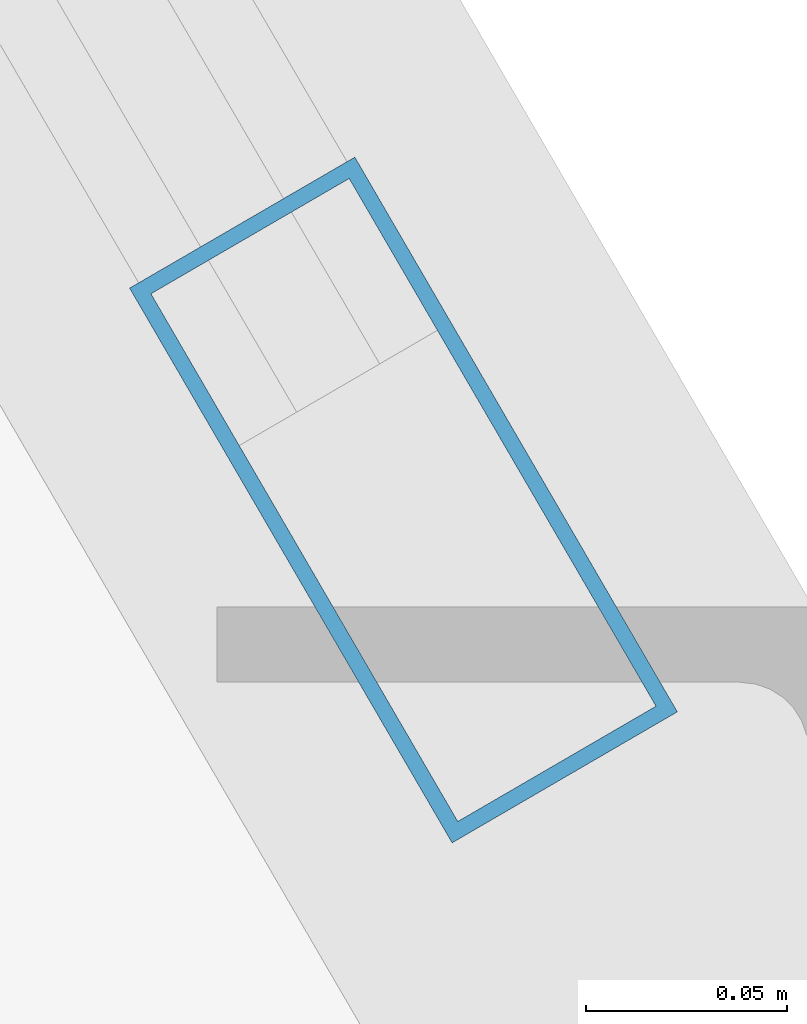
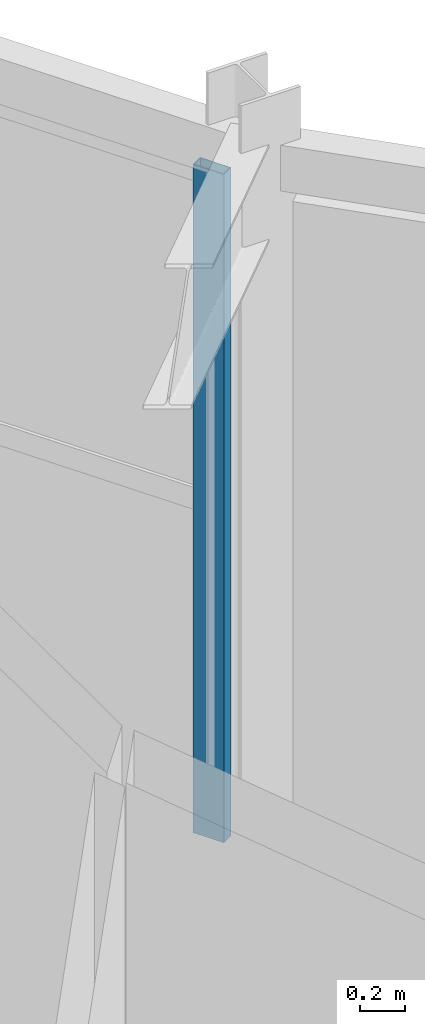
# One storey, part 31 of 148: 1 member, 1 element without a shape of its own.
"""IFC4 building model written with IfcOpenShell, lengths in metres."""

from ifc_helpers import new_model, si_unit, direction, frame, origin, origin_2d, place, context, subcontext, project, spatial, hollow_rectangle, extrude, material, material_profile, profile_set, type_object, element, aggregate, save


model = new_model("IFC4")

# Units and contexts
model_context = context("Model", 3, precision=1e-05, world=origin(), true_north=direction((0.0, 1.0)))
body_context = subcontext(model_context, "Body", "Model", "MODEL_VIEW")
ifc_project = project(units=[si_unit("LENGTHUNIT", "METRE"), si_unit("AREAUNIT", "SQUARE_METRE"), si_unit("VOLUMEUNIT", "CUBIC_METRE"), si_unit("PLANEANGLEUNIT", "RADIAN"), si_unit("MASSUNIT", "GRAM", prefix="KILO")], contexts=[model_context])

# Site, building, storey
site_placement = place(None, origin())
site = spatial("IfcSite", under=ifc_project, at=site_placement, CompositionType="ELEMENT")
building_placement = place(site_placement, origin())
building = spatial("IfcBuilding", under=site, at=building_placement, Name="Karori Crest Natural Sciences Institute", CompositionType="ELEMENT")
storey_placement = place(building_placement, frame((0.0, 0.0, 4.89990234375)))
storey = spatial("IfcBuildingStorey", under=building, at=storey_placement, Name="L01", CompositionType="ELEMENT", Elevation=4.89990234375)

# Curtain wall, member
ifc_material = material(Name="Anodised architectural aluminium 6063-T6", Category="aluminium")
curtain_wall_type = type_object("IfcCurtainWallType", Name="CWT-15", PredefinedType="NOTDEFINED", material=ifc_material)
curtain_wall_placement = place(storey_placement, origin())
curtain_wall = element("IfcCurtainWall", 1, at=curtain_wall_placement, inside=storey, type_object=curtain_wall_type, Name="Curtain wall CW-0051", PredefinedType="NOTDEFINED")
ifc_material_profile = material_profile(ifc_material, hollow_rectangle(XDim=0.06494140625, YDim=0.159912109375, WallThickness=0.00390625, at=origin_2d()), Name="CWM160x65x4")
ifc_profile_set = profile_set([ifc_material_profile], Name="Anodised architectural aluminium 6063-T6")
member_type = type_object("IfcMemberType", Name="CWM-01", PredefinedType="MULLION", material=ifc_profile_set)
member_placement = place(storey_placement, frame((49.03955078125, 27.315185546875, 0.0), z_axis=(0.0, 0.0, 1.0), x_axis=(0.864484379326, 0.502659683982, 0.0)))
member = element("IfcMember", 2, at=member_placement, type_object=member_type, Name="CW-0051 mullion 3", PredefinedType="MULLION", context=body_context, shape_type="SweptSolid", body=[
    extrude(hollow_rectangle(XDim=0.06494140625, YDim=0.159912109375, WallThickness=0.00390625, at=origin_2d()), origin(), (0.0, 0.0, 1.0), 3.650146484375),
])
aggregate(curtain_wall, [member])

save(model, "model.ifc")
